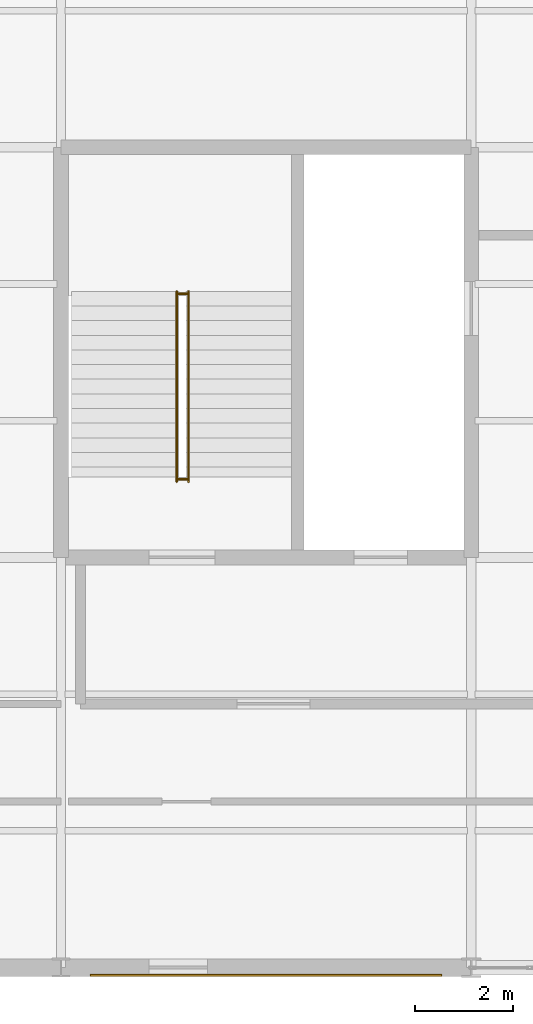
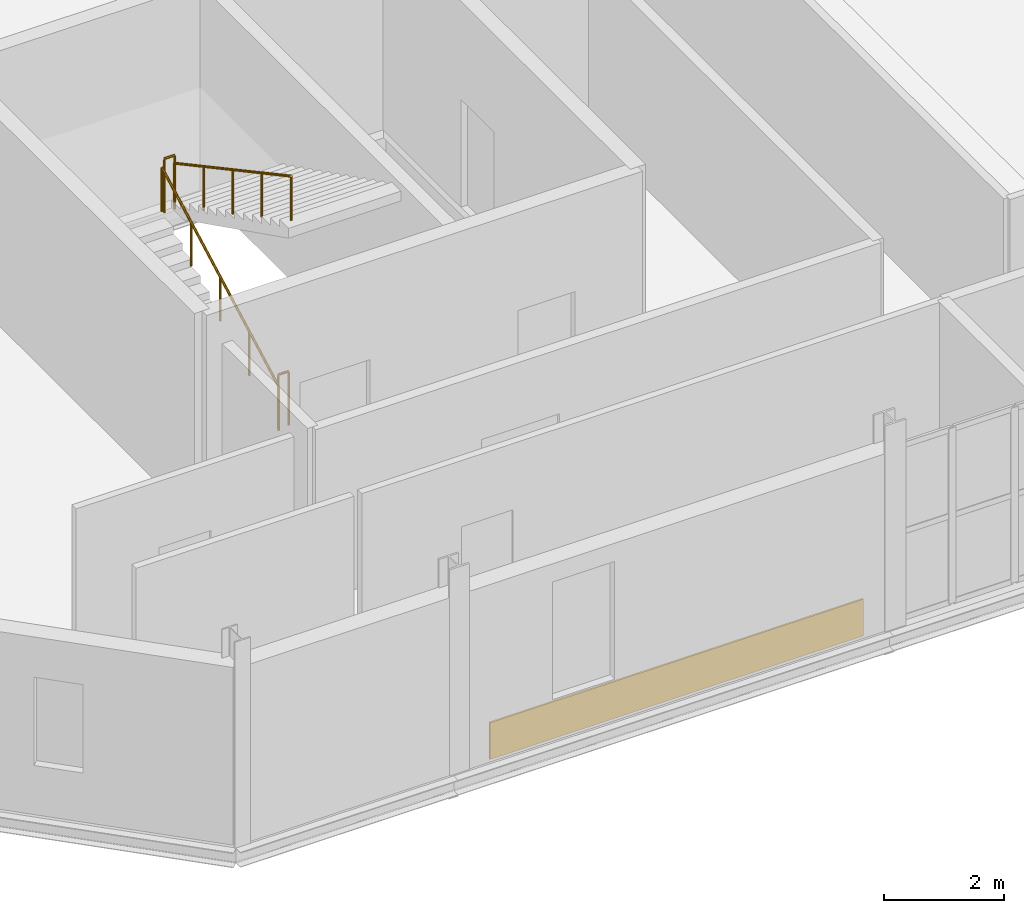
# One storey, part 175 of 184: 4 railings, 1 covering.
"""IFC4 building model written with IfcOpenShell, lengths in metres."""

from ifc_helpers import new_model, si_unit, direction, frame, origin, origin_2d, place, context, subcontext, project, spatial, rectangle, circle, extrude, material, layer, layer_set, type_object, element, save


model = new_model("IFC4")

# Units and contexts
model_context = context("Model", 3, precision=1e-05, world=origin(), true_north=direction((0.0, 1.0)))
body_context = subcontext(model_context, "Body", "Model", "MODEL_VIEW")
ifc_project = project(units=[si_unit("LENGTHUNIT", "METRE"), si_unit("AREAUNIT", "SQUARE_METRE"), si_unit("VOLUMEUNIT", "CUBIC_METRE"), si_unit("PLANEANGLEUNIT", "RADIAN"), si_unit("MASSUNIT", "GRAM", prefix="KILO")], contexts=[model_context])

# Site, building, storey
site_placement = place(None, origin())
site = spatial("IfcSite", under=ifc_project, at=site_placement, CompositionType="ELEMENT")
building_placement = place(site_placement, origin())
building = spatial("IfcBuilding", under=site, at=building_placement, Name="Qalvenar Corner Mobility Hub", CompositionType="ELEMENT")
storey_placement = place(building_placement, frame((0.0, 0.0, 9.0)))
storey = spatial("IfcBuildingStorey", under=building, at=storey_placement, Name="L02", CompositionType="ELEMENT", Elevation=9.0)

# Covering
ifc_material_1 = material(Name="Kashikari Glazed Turquoise Faience Tile Cladding", Category="masonry")
ifc_layer = layer(ifc_material_1, 0.034912109375)
ifc_layer_set = layer_set([ifc_layer], Name="Kashikari Glazed Turquoise Faience Tile Cladding")
covering_type = type_object("IfcCoveringType", Name="COV-CLAD-FAI", PredefinedType="CLADDING", material=ifc_layer_set)
covering_placement = place(storey_placement, frame((12.60009765625, -0.155029296875, 0.044921875), z_axis=(0.0, 0.0, 1.0), x_axis=(1.0, 0.0, 0.0)))
element("IfcCovering", 1, at=covering_placement, inside=storey, type_object=covering_type, Name="Kashikari Faience Spandrel V3-L02-S1", PredefinedType="CLADDING", context=body_context, shape_type="SweptSolid", body=[
    extrude(rectangle(XDim=7.199951171875, YDim=0.034912109375, at=origin_2d()), origin(), (0.0, 0.0, 1.0), 0.75),
])

# Railings
ifc_material_2 = material(Name="Art Nouveau Bronze-Finished Steel Balustrade", Category="steel")
railing_type_1 = type_object("IfcRailingType", Name="RL-GUARD-110", PredefinedType="GUARDRAIL", material=ifc_material_2)
for number, where, name in (
    (2, (10.7900390625, 10.0, 0.0), "Stair Arrival Slot Guard C1-L02"),
    (3, (10.7900390625, 13.800048828125, 2.10009765625), "Stair Half-Landing Well Guard ST1-L02"),
):
    element("IfcRailing", number, at=place(storey_placement, frame(where)), inside=storey, type_object=railing_type_1, Name=name, PredefinedType="GUARDRAIL", context=body_context, shape_type="SweptSolid", body=[
        extrude(circle(Radius=0.02392578125, at=origin_2d()), frame((0.0, 0.0, 1.09619140625), z_axis=(1.0, 0.0, 0.0), x_axis=(0.0, 1.0, 0.0)), (0.0, 0.0, 1.0), 0.199951171875),
        extrude(circle(Radius=0.02099609375, at=origin_2d()), origin(), (0.0, 0.0, 1.0), 1.072021484375),
        extrude(circle(Radius=0.02099609375, at=origin_2d()), frame((0.199951171875, 0.0, 0.0)), (0.0, 0.0, 1.0), 1.072021484375),
    ])
ifc_material_3 = material(Name="Brushed Stainless Steel Handrail", Category="steel")
railing_type_2 = type_object("IfcRailingType", Name="RL-HAND-092", PredefinedType="HANDRAIL", material=ifc_material_3)
railing_1_placement = place(storey_placement, frame((10.77001953125, 9.949951171875, 0.0)))
element("IfcRailing", 4, at=railing_1_placement, inside=storey, type_object=railing_type_2, Name="Stair Handrail ST1-L02-1", PredefinedType="HANDRAIL", context=body_context, shape_type="SweptSolid", body=[
    extrude(circle(Radius=0.02392578125, at=origin_2d()), frame((0.0, 0.0, 0.89599609375), z_axis=(0.0, 0.880469330154, 0.474103109733), x_axis=(-1.0, 0.0, 0.0)), (0.0, 0.0, 1.0), 4.4296875),
    extrude(circle(Radius=0.02099609375, at=origin_2d()), origin(), (0.0, 0.0, 1.0), 0.871826171875),
    extrude(circle(Radius=0.02099609375, at=origin_2d()), frame((0.0, 0.97509765625, 0.52490234375)), (0.0, 0.0, 1.0), 0.871826171875),
    extrude(circle(Radius=0.02099609375, at=origin_2d()), frame((0.0, 1.9501953125, 1.050048828125)), (0.0, 0.0, 1.0), 0.871826171875),
    extrude(circle(Radius=0.02099609375, at=origin_2d()), frame((0.0, 2.925048828125, 1.5751953125)), (0.0, 0.0, 1.0), 0.871826171875),
    extrude(circle(Radius=0.02099609375, at=origin_2d()), frame((0.0, 3.900146484375, 2.10009765625)), (0.0, 0.0, 1.0), 0.871826171875),
])
railing_2_placement = place(storey_placement, frame((11.010009765625, 13.85009765625, 2.10009765625)))
element("IfcRailing", 5, at=railing_2_placement, inside=storey, type_object=railing_type_2, Name="Stair Handrail ST1-L02-2", PredefinedType="HANDRAIL", context=body_context, shape_type="SweptSolid", body=[
    extrude(circle(Radius=0.02392578125, at=origin_2d()), frame((0.0, 0.0, 0.89599609375), z_axis=(0.0, -0.88049233674, 0.474060381114), x_axis=(1.0, 0.0, 0.0)), (0.0, 0.0, 1.0), 4.429443359375),
    extrude(circle(Radius=0.02099609375, at=origin_2d()), origin(), (0.0, 0.0, 1.0), 0.871826171875),
    extrude(circle(Radius=0.02099609375, at=origin_2d()), frame((0.0, -0.97509765625, 0.52490234375)), (0.0, 0.0, 1.0), 0.871826171875),
    extrude(circle(Radius=0.02099609375, at=origin_2d()), frame((0.0, -1.9501953125, 1.0498046875)), (0.0, 0.0, 1.0), 0.871826171875),
    extrude(circle(Radius=0.02099609375, at=origin_2d()), frame((0.0, -2.925048828125, 1.574951171875)), (0.0, 0.0, 1.0), 0.871826171875),
    extrude(circle(Radius=0.02099609375, at=origin_2d()), frame((0.0, -3.900146484375, 2.099853515625)), (0.0, 0.0, 1.0), 0.871826171875),
])

save(model, "model.ifc")
